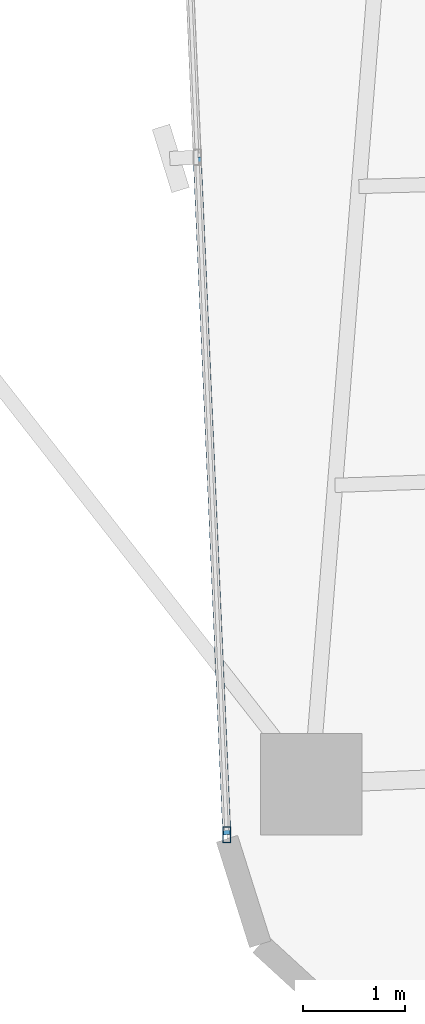
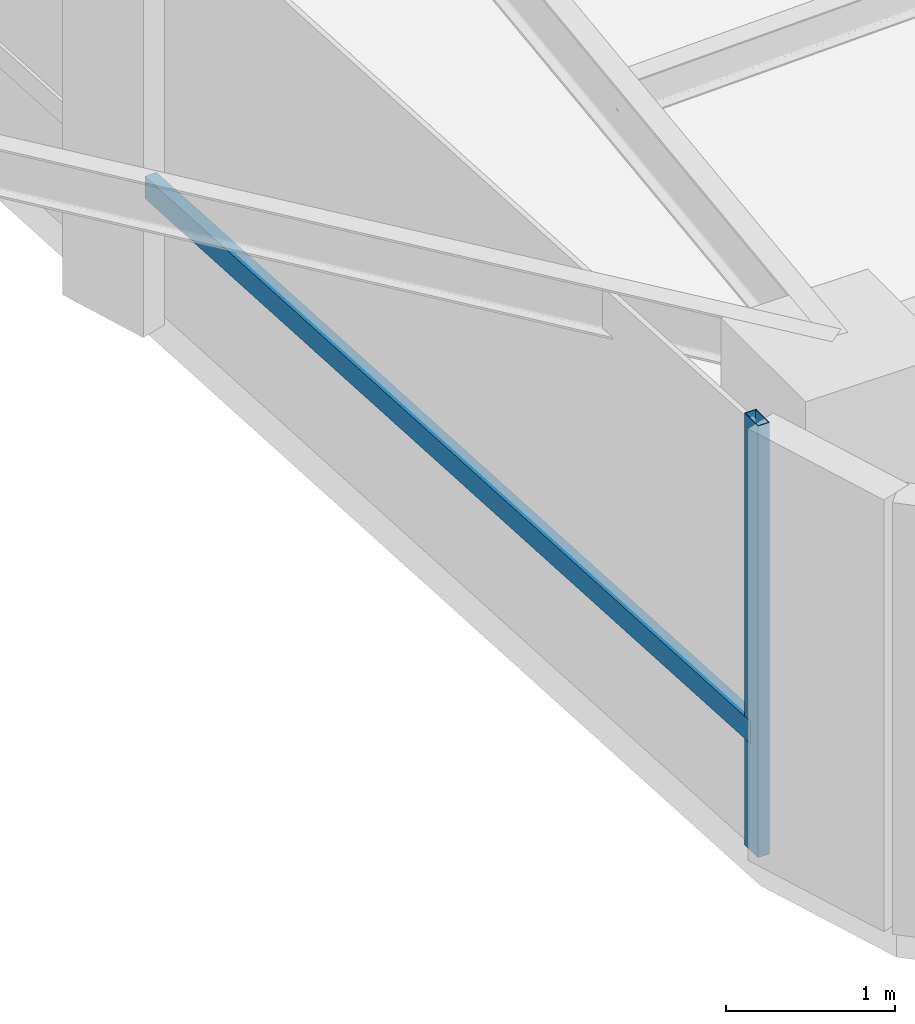
# One storey, part 2 of 26: 2 members, 1 element without a shape of its own.
"""IFC4 building model written with IfcOpenShell, lengths in metres."""

from ifc_helpers import new_model, si_unit, direction, frame, origin, origin_2d, place, context, subcontext, project, spatial, hollow_rectangle, extrude, source, transform, mapped, material, material_profile, profile_set, type_object, element, aggregate, save


model = new_model("IFC4")

# Units and contexts
model_context = context("Model", 3, precision=1e-05, world=origin(), true_north=direction((0.0, 1.0)))
body_context = subcontext(model_context, "Body", "Model", "MODEL_VIEW")
ifc_project = project(units=[si_unit("LENGTHUNIT", "METRE"), si_unit("AREAUNIT", "SQUARE_METRE"), si_unit("VOLUMEUNIT", "CUBIC_METRE"), si_unit("PLANEANGLEUNIT", "RADIAN"), si_unit("MASSUNIT", "GRAM", prefix="KILO")], contexts=[model_context])

# Site, building, storey
site_placement = place(None, origin())
site = spatial("IfcSite", under=ifc_project, at=site_placement, CompositionType="ELEMENT")
building_placement = place(site_placement, origin())
building = spatial("IfcBuilding", under=site, at=building_placement, Name="Sahyath Konkavel Grand Hotel", CompositionType="ELEMENT")
storey_placement = place(building_placement, frame((0.0, 0.0, 131.550048828125)))
storey = spatial("IfcBuildingStorey", under=building, at=storey_placement, Name="L36", CompositionType="ELEMENT", Elevation=131.550048828125)

# Curtain wall, members
ifc_material_1 = material(Name="Anodised Bronze Aluminium & Low-E Glazing", Category="aluminium")
curtain_wall_type = type_object("IfcCurtainWallType", Name="CW-ZONE2", PredefinedType="NOTDEFINED", material=ifc_material_1)
curtain_wall_placement = place(storey_placement, origin())
curtain_wall = element("IfcCurtainWall", 1, at=curtain_wall_placement, inside=storey, type_object=curtain_wall_type, Name="L36 Unitised Curtain Wall F24", PredefinedType="NOTDEFINED")
ifc_material_2 = material(Name="Anodised Bronze Aluminium", Category="aluminium")
ifc_material_profile_1 = material_profile(ifc_material_2, hollow_rectangle(XDim=0.080078125, YDim=0.159912109375, WallThickness=0.006103515625, at=origin_2d()), Name="RHS 160x80x6")
ifc_profile_set_1 = profile_set([ifc_material_profile_1], Name="Anodised Bronze Aluminium")
member_type_1 = type_object("IfcMemberType", Name="CW-MUL-160", PredefinedType="MULLION", material=ifc_profile_set_1)
shared_shape_1 = source(origin(), body_context, "Body", "SweptSolid", [
    extrude(hollow_rectangle(XDim=0.080078125, YDim=0.159912109375, WallThickness=0.006103515625, at=origin_2d()), origin(), (0.0, 0.0, 1.0), 3.10986328125),
])
member_1_placement = place(storey_placement, frame((-5.605224609375, -22.92626953125, 0.0), z_axis=(0.0, 0.0, 1.0), x_axis=(1.0, 0.0, 0.0)))
member_1 = element("IfcMember", 2, at=member_1_placement, type_object=member_type_1, Name="L36 Curtain Wall Mullion F24-2", PredefinedType="MULLION", context=body_context, shape_type="MappedRepresentation", body=[
    mapped(shared_shape_1, transform((0.0, 0.0, 0.0), scale=1.0)),
])
ifc_material_profile_2 = material_profile(ifc_material_2, hollow_rectangle(XDim=0.080078125, YDim=0.159912109375, WallThickness=0.006103515625, at=origin_2d()), Name="RHS 160x80x6")
ifc_profile_set_2 = profile_set([ifc_material_profile_2], Name="Anodised Bronze Aluminium")
member_type_2 = type_object("IfcMemberType", Name="CW-TRN-160", PredefinedType="USERDEFINED", material=ifc_profile_set_2)
shared_shape_2 = source(origin(), body_context, "Body", "SweptSolid", [
    extrude(hollow_rectangle(XDim=0.080078125, YDim=0.159912109375, WallThickness=0.006103515625, at=origin_2d()), origin(), (0.0, 0.0, 1.0), 6.659912109375),
])
member_2_placement = place(storey_placement, frame((-5.895751953125, -16.272705078125, 0.849853515625), z_axis=(0.043623350741, -0.999048048529, 0.0), x_axis=(0.999048048529, 0.043623350741, 0.0)))
member_2 = element("IfcMember", 3, at=member_2_placement, type_object=member_type_2, Name="L36 Curtain Wall Transom F24-1-spandrel", ObjectType="TRANSOM", PredefinedType="USERDEFINED", context=body_context, shape_type="MappedRepresentation", body=[
    mapped(shared_shape_2, transform((0.0, 0.0, 0.0), scale=1.0)),
])
aggregate(curtain_wall, [member_1, member_2])

save(model, "model.ifc")
